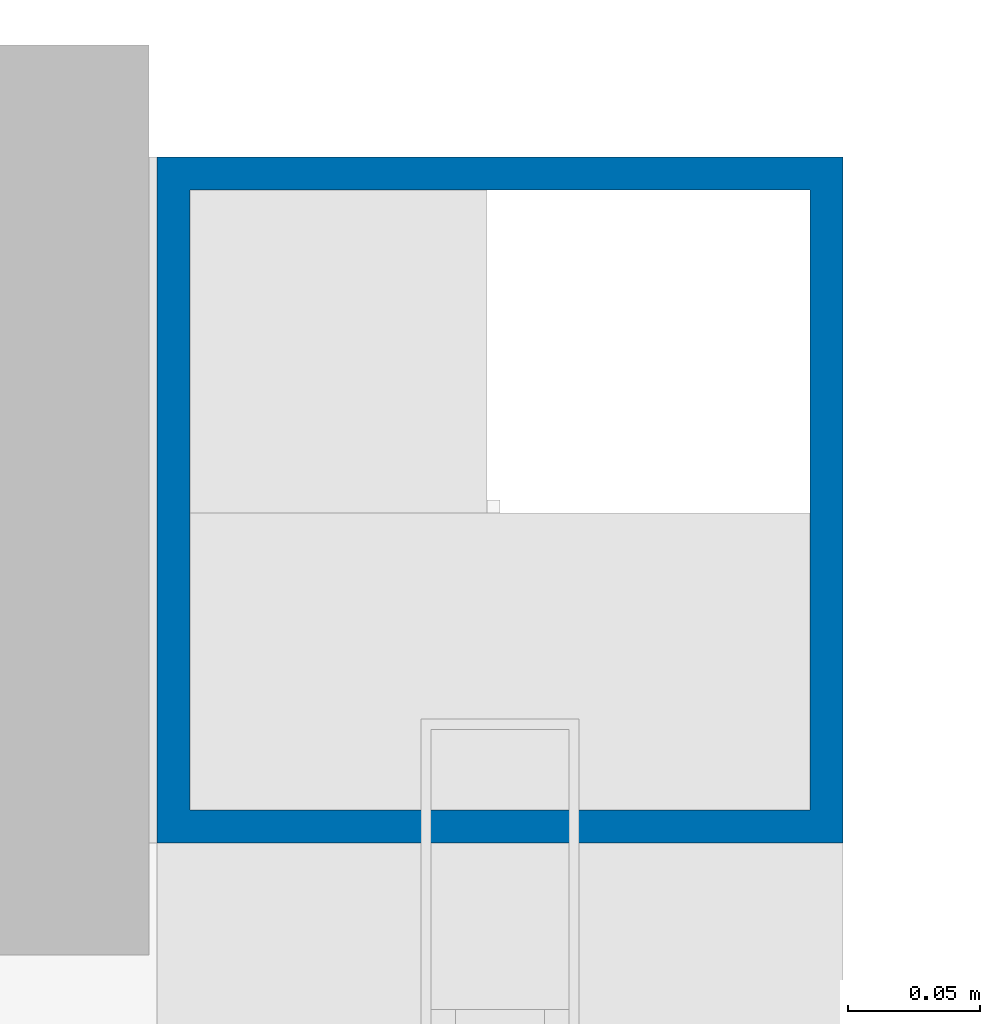
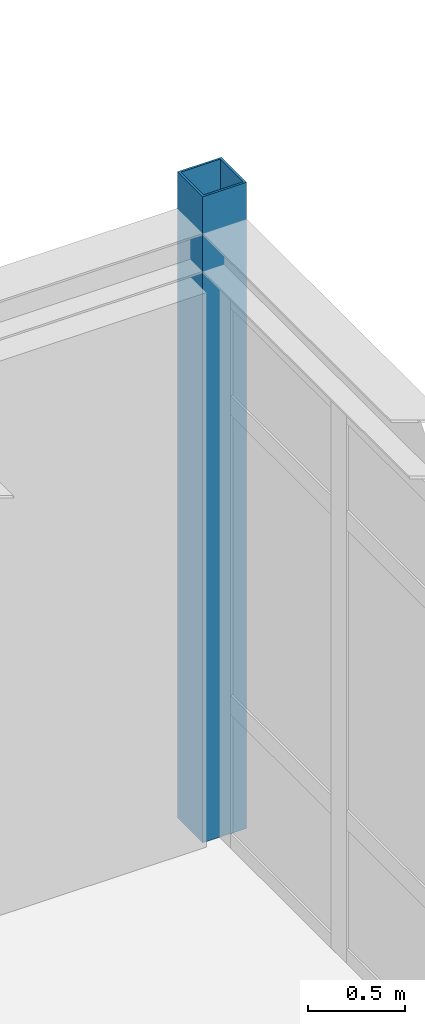
# One storey, part 20 of 189: 1 column.
"""IFC4 building model written with IfcOpenShell, lengths in metres."""

from ifc_helpers import new_model, si_unit, direction, frame, origin, origin_2d, place, context, subcontext, project, spatial, hollow_rectangle, extrude, material, material_profile, profile_set, type_object, element, save


model = new_model("IFC4")

# Units and contexts
model_context = context("Model", 3, precision=1e-05, world=origin(), true_north=direction((0.0, 1.0)))
body_context = subcontext(model_context, "Body", "Model", "MODEL_VIEW")
ifc_project = project(units=[si_unit("LENGTHUNIT", "METRE"), si_unit("AREAUNIT", "SQUARE_METRE"), si_unit("VOLUMEUNIT", "CUBIC_METRE"), si_unit("PLANEANGLEUNIT", "RADIAN"), si_unit("MASSUNIT", "GRAM", prefix="KILO")], contexts=[model_context])

# Site, building, storey
site_placement = place(None, origin())
site = spatial("IfcSite", under=ifc_project, at=site_placement, CompositionType="ELEMENT")
building_placement = place(site_placement, origin())
building = spatial("IfcBuilding", under=site, at=building_placement, Name="Montecoro Central Library", CompositionType="ELEMENT")
storey_placement = place(building_placement, frame((0.0, 0.0, 9.179931640625)))
storey = spatial("IfcBuildingStorey", under=building, at=storey_placement, Name="L02", CompositionType="ELEMENT", Elevation=9.179931640625)

# Column
ifc_material = material(Name="Steel S355", Category="steel")
ifc_material_profile = material_profile(ifc_material, hollow_rectangle(XDim=0.260009765625, YDim=0.260009765625, WallThickness=0.012451171875, at=origin_2d()), Name="SHS 260x260x12.5")
ifc_profile_set = profile_set([ifc_material_profile], Name="Steel S355")
column_type = type_object("IfcColumnType", Name="COL-SHS260", PredefinedType="COLUMN", material=ifc_profile_set)
column_placement = place(storey_placement, frame((173.0, 43.0, 0.0), z_axis=(0.0, 0.0, 1.0), x_axis=(1.0, 0.0, 0.0)))
element("IfcColumn", 1, at=column_placement, inside=storey, type_object=column_type, Name="V6-L02-COL-22-F", PredefinedType="COLUMN", context=body_context, shape_type="SweptSolid", body=[
    extrude(hollow_rectangle(XDim=0.260009765625, YDim=0.260009765625, WallThickness=0.012451171875, at=origin_2d()), origin(), (0.0, 0.0, 1.0), 4.05517578125),
])

save(model, "model.ifc")
